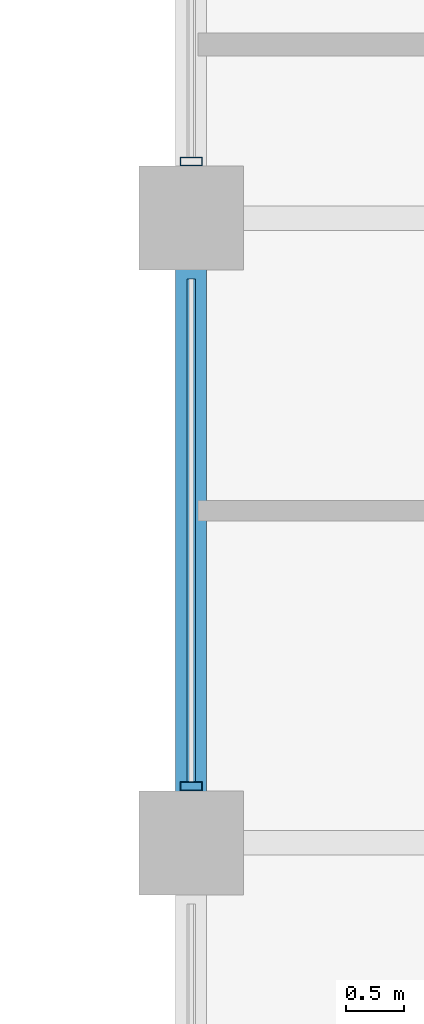
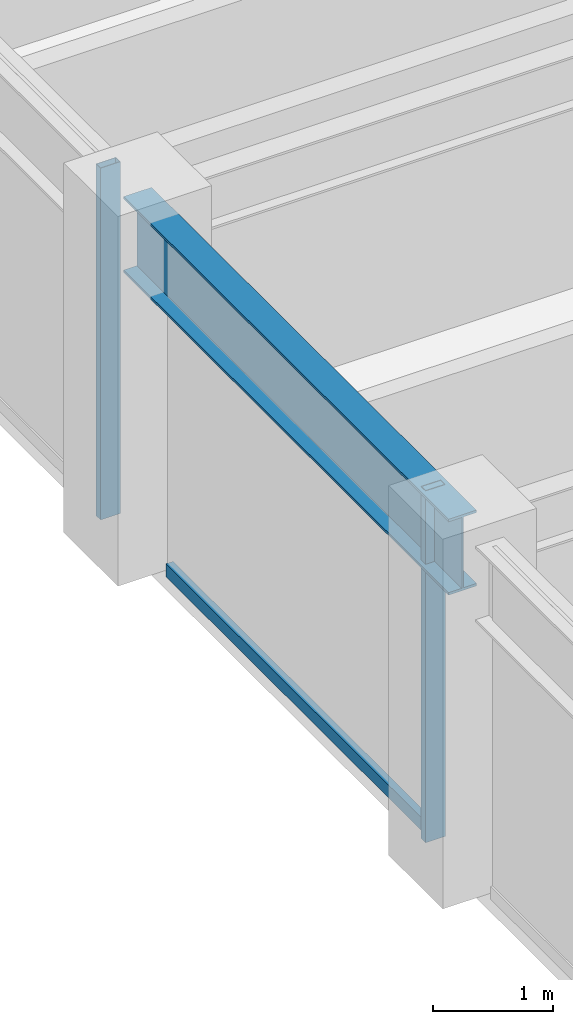
# One storey, part 8 of 32: 3 members, 1 beam, 1 element without a shape of its own.
"""IFC4 building model written with IfcOpenShell, lengths in metres."""

from ifc_helpers import new_model, si_unit, direction, frame, origin, origin_2d, place, context, subcontext, project, spatial, hollow_rectangle, i_section, extrude, material, layer, layer_set, material_profile, profile_set, type_object, element, aggregate, save


model = new_model("IFC4")

# Units and contexts
model_context = context("Model", 3, precision=1e-05, world=origin(), true_north=direction((0.0, 1.0)))
body_context = subcontext(model_context, "Body", "Model", "MODEL_VIEW")
ifc_project = project(units=[si_unit("LENGTHUNIT", "METRE"), si_unit("AREAUNIT", "SQUARE_METRE"), si_unit("VOLUMEUNIT", "CUBIC_METRE"), si_unit("PLANEANGLEUNIT", "RADIAN"), si_unit("MASSUNIT", "GRAM", prefix="KILO")], contexts=[model_context])

# Site, building, storey
site_placement = place(None, origin())
site = spatial("IfcSite", under=ifc_project, at=site_placement, CompositionType="ELEMENT")
building_placement = place(site_placement, origin())
building = spatial("IfcBuilding", under=site, at=building_placement, Name="Surkhivell Harbour Commons", CompositionType="ELEMENT")
storey_placement = place(building_placement, frame((0.0, 0.0, 189.75)))
storey = spatial("IfcBuildingStorey", under=building, at=storey_placement, Name="L49", CompositionType="ELEMENT", Elevation=189.75)

# Beam
ifc_material_1 = material(Name="Steel S355", Category="steel")
ifc_material_profile_1 = material_profile(ifc_material_1, i_section(OverallWidth=0.26806640625, OverallDepth=0.77001953125, WebThickness=0.015625, FlangeThickness=0.025390625, at=origin_2d()), Name="UB762x267x197")
ifc_profile_set_1 = profile_set([ifc_material_profile_1], Name="Steel S355")
beam_type = type_object("IfcBeamType", Name="BM-SPN-762", PredefinedType="SPANDREL", material=ifc_profile_set_1)
beam_placement = place(storey_placement, frame((-27.0, -5.39990234375, 3.18505859375), z_axis=(0.0, 1.0, 0.0), x_axis=(-1.0, 0.0, 0.0)))
element("IfcBeam", 1, at=beam_placement, inside=storey, type_object=beam_type, Name="L49 Tube Spandrel (-27.0,-5.4)", PredefinedType="SPANDREL", context=body_context, shape_type="SweptSolid", body=[
    extrude(i_section(OverallWidth=0.26806640625, OverallDepth=0.77001953125, WebThickness=0.015625, FlangeThickness=0.025390625, at=origin_2d()), origin(), (0.0, 0.0, 1.0), 5.39990234375),
])

# Curtain wall, members
ifc_material_2 = material(Name="Anodised pale-metal aluminium and insulated glazing", Category="aluminium")
ifc_layer = layer(ifc_material_2, 0.18994140625)
ifc_layer_set = layer_set([ifc_layer], Name="Anodised pale-metal aluminium and insulated glazing")
curtain_wall_type = type_object("IfcCurtainWallType", Name="CW-SYS-Z3", PredefinedType="NOTDEFINED", material=ifc_layer_set)
curtain_wall_placement = place(storey_placement, origin())
curtain_wall = element("IfcCurtainWall", 2, at=curtain_wall_placement, inside=storey, type_object=curtain_wall_type, Name="L49 Curtain Wall CW-L49-E12R1S1", PredefinedType="NOTDEFINED")
ifc_material_3 = material(Name="Anodised pale-metal aluminium alloy 6063-T6", Category="aluminium")
ifc_material_profile_2 = material_profile(ifc_material_3, hollow_rectangle(XDim=0.074951171875, YDim=0.18994140625, WallThickness=0.00390625, at=origin_2d()), Name="ALU-MULL-75x190")
ifc_profile_set_2 = profile_set([ifc_material_profile_2], Name="Anodised pale-metal aluminium alloy 6063-T6")
member_type_1 = type_object("IfcMemberType", Name="CWM-190", PredefinedType="MULLION", material=ifc_profile_set_2)
member_1_placement = place(storey_placement, frame((-27.0, -4.910400390625, 0.0), z_axis=(0.0, 0.0, 1.0), x_axis=(0.0, 1.0, 0.0)))
member_1 = element("IfcMember", 3, at=member_1_placement, type_object=member_type_1, Name="CW-Z3 mullion 2", PredefinedType="MULLION", context=body_context, shape_type="SweptSolid", body=[
    extrude(hollow_rectangle(XDim=0.074951171875, YDim=0.18994140625, WallThickness=0.00390625, at=origin_2d()), origin(), (0.0, 0.0, 1.0), 3.570068359375),
])
member_2_placement = place(storey_placement, frame((-27.0, 0.489501953125, 0.0), z_axis=(0.0, 0.0, 1.0), x_axis=(0.0, 1.0, 0.0)))
member_2 = element("IfcMember", 4, at=member_2_placement, type_object=member_type_1, Name="CW-Z3 mullion 3", PredefinedType="MULLION", context=body_context, shape_type="SweptSolid", body=[
    extrude(hollow_rectangle(XDim=0.074951171875, YDim=0.18994140625, WallThickness=0.00390625, at=origin_2d()), origin(), (0.0, 0.0, 1.0), 3.570068359375),
])
ifc_material_4 = material(Name="Champagne anodised aluminium alloy 6063-T6", Category="aluminium")
ifc_material_profile_3 = material_profile(ifc_material_4, hollow_rectangle(XDim=0.070068359375, YDim=0.1298828125, WallThickness=0.00341796875, at=origin_2d()), Name="ALU-TRAN-70x130")
ifc_profile_set_3 = profile_set([ifc_material_profile_3], Name="Champagne anodised aluminium alloy 6063-T6")
member_type_2 = type_object("IfcMemberType", Name="CWT-130", PredefinedType="USERDEFINED", material=ifc_profile_set_3)
member_3_placement = place(storey_placement, frame((-27.0, -4.873046875, 0.06494140625), z_axis=(0.0, 1.0, 0.0), x_axis=(-1.0, 0.0, 0.0)))
member_3 = element("IfcMember", 5, at=member_3_placement, type_object=member_type_2, Name="CW-Z3 transom 2.1", ObjectType="TRANSOM", PredefinedType="USERDEFINED", context=body_context, shape_type="SweptSolid", body=[
    extrude(hollow_rectangle(XDim=0.070068359375, YDim=0.1298828125, WallThickness=0.00341796875, at=origin_2d()), origin(), (0.0, 0.0, 1.0), 4.345947265625),
])
aggregate(curtain_wall, [member_1, member_3, member_2])

save(model, "model.ifc")
